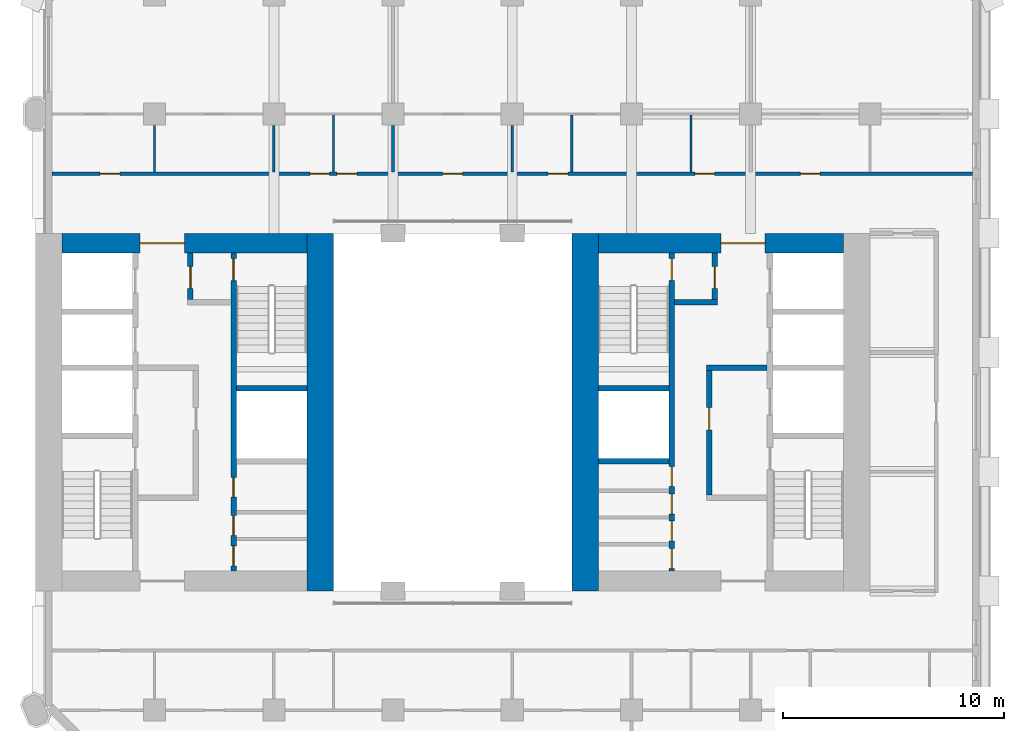
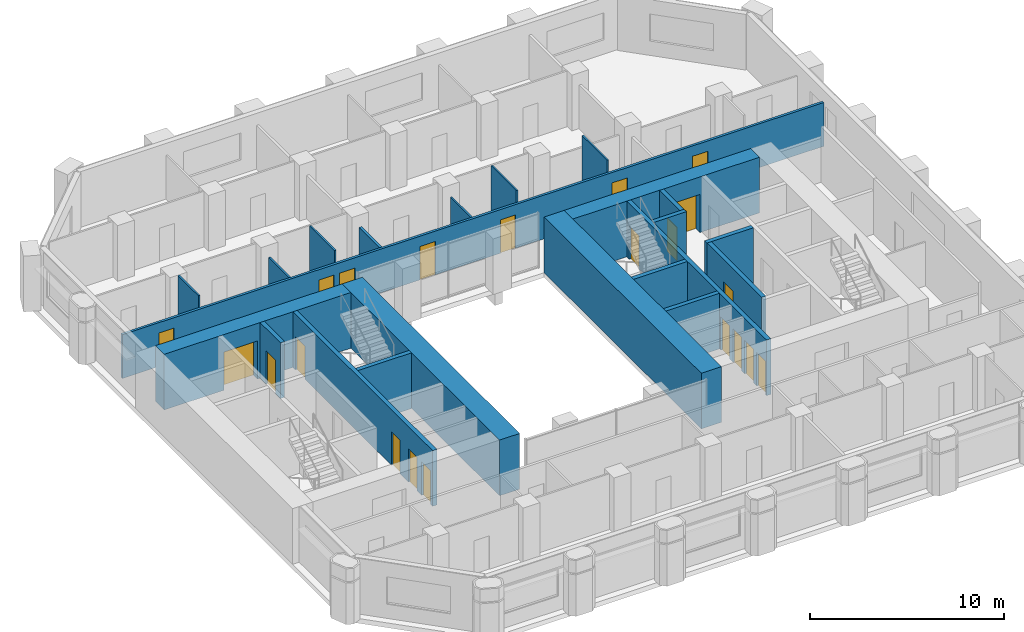
# One storey, part 5 of 11: 22 walls, 21 doors, 21 openings.
"""IFC4 building model written with IfcOpenShell, lengths in metres."""

from ifc_helpers import new_model, si_unit, direction, frame, frame_2d, origin, place, context, subcontext, project, spatial, rectangle, extrude, material, layer, layer_set, type_object, element, fill, save


model = new_model("IFC4")

# Units and contexts
model_context = context("Model", 3, precision=1e-05, world=origin(), true_north=direction((0.0, 1.0)))
body_context = subcontext(model_context, "Body", "Model", "MODEL_VIEW")
ifc_project = project(units=[si_unit("LENGTHUNIT", "METRE"), si_unit("AREAUNIT", "SQUARE_METRE"), si_unit("VOLUMEUNIT", "CUBIC_METRE"), si_unit("PLANEANGLEUNIT", "RADIAN"), si_unit("MASSUNIT", "GRAM", prefix="KILO")], contexts=[model_context])

# Site, building, storey
site_placement = place(None, origin())
site = spatial("IfcSite", under=ifc_project, at=site_placement, CompositionType="ELEMENT")
building_placement = place(site_placement, origin())
building = spatial("IfcBuilding", under=site, at=building_placement, Name="Tabaq Tower and Sports Hall", CompositionType="ELEMENT")
storey_placement = place(building_placement, frame((0.0, 0.0, 80.199951171875)))
storey = spatial("IfcBuildingStorey", under=building, at=storey_placement, Name="L18", CompositionType="ELEMENT", Elevation=80.199951171875)

# Walls
ifc_material_1 = material(Name="Concrete C60/75", Category="concrete")
ifc_layer_1 = layer(ifc_material_1, 1.199951171875)
ifc_layer_set_1 = layer_set([ifc_layer_1], Name="Core wall 1200 Concrete C60/75")
wall_type_1 = type_object("IfcWallType", Name="Core wall 1200 Concrete C60/75", PredefinedType="SOLIDWALL", material=ifc_layer_set_1)
for number, where, z_axis, x_axis, name in (
    (1, (18.300048828125, 32.39990234375, 0.0), (0.0, 0.0, 1.0), (0.0, -1.0, 0.0), "Core wall W L18"),
    (2, (30.300048828125, 16.199951171875, 0.0), (0.0, 0.0, 1.0), (0.0, 1.0, 0.0), "Core wall E L18"),
):
    element("IfcWall", number, at=place(storey_placement, frame(where, z_axis=z_axis, x_axis=x_axis)), inside=storey, type_object=wall_type_1, Name=name, PredefinedType="SOLIDWALL", context=body_context, shape_type="SweptSolid", body=[
        extrude(rectangle(XDim=16.199951171875, YDim=1.199951171875, at=frame_2d((8.10009765625, 0.0))), origin(), (0.0, 0.0, 1.0), 3.5),
    ])

# Wall, opening, door
ifc_material_2 = material(Name="Concrete C60/75", Category="concrete")
ifc_layer_2 = layer(ifc_material_2, 0.89990234375)
ifc_layer_set_2 = layer_set([ifc_layer_2], Name="Core wall 900 Concrete C60/75")
wall_type_2 = type_object("IfcWallType", Name="Core wall 900 Concrete C60/75", PredefinedType="SOLIDWALL", material=ifc_layer_set_2)
wall_1_placement = place(storey_placement, frame((6.60009765625, 31.949951171875, 0.0), z_axis=(0.0, 0.0, 1.0), x_axis=(1.0, 0.0, 0.0)))
wall_1 = element("IfcWall", 3, at=wall_1_placement, inside=storey, type_object=wall_type_2, Name="Core wall W L18", PredefinedType="SOLIDWALL", context=body_context, shape_type="SweptSolid", body=[
    extrude(rectangle(XDim=11.099853515625, YDim=0.89990234375, at=frame_2d((5.5498046875, 0.0))), origin(), (0.0, 0.0, 1.0), 3.5),
])
opening_1_placement = place(wall_1_placement, frame((3.550048828125, 0.0, 0.0)))
opening_1 = element("IfcOpeningElement", 4, at=opening_1_placement, cuts=wall_1, Name="Opening PD-WL18-02", PredefinedType="OPENING", context=body_context, shape_type="SweptSolid", body=[
    extrude(rectangle(XDim=2.0, YDim=2.39990234375, at=frame_2d((1.0, 1.199951171875))), frame((0.0, 0.449951171875, 0.0), z_axis=(0.0, -1.0, 0.0), x_axis=(1.0, 0.0, 0.0)), (0.0, 0.0, 1.0), 0.89990234375),
])
ifc_material_3 = material(Name="Steel fire door", Category="steel")
door_type_1 = type_object("IfcDoorType", Name="Core entrance door 2000", OperationType="DOUBLE_DOOR_SINGLE_SWING", PredefinedType="DOOR", material=ifc_material_3)
door_1_placement = place(opening_1_placement, origin())
door_1 = element("IfcDoor", 5, at=door_1_placement, inside=storey, type_object=door_type_1, Name="Core entrance north W L18", OperationType="DOUBLE_DOOR_SINGLE_SWING", OverallHeight=2.39990234375, OverallWidth=2.0, PredefinedType="DOOR", context=body_context, shape_type="SweptSolid", body=[
    extrude(rectangle(XDim=2.0, YDim=2.39990234375, at=frame_2d((1.0, 1.199951171875))), frame((0.0, 0.02490234375, 0.0), z_axis=(0.0, -1.0, 0.0), x_axis=(1.0, 0.0, 0.0)), (0.0, 0.0, 1.0), 0.050048828125),
])
fill(opening_1, door_1)

wall_2_placement = place(storey_placement, frame((30.89990234375, 31.949951171875, 0.0), z_axis=(0.0, 0.0, 1.0), x_axis=(1.0, 0.0, 0.0)))
wall_2 = element("IfcWall", 6, at=wall_2_placement, inside=storey, type_object=wall_type_2, Name="Core wall E L18", PredefinedType="SOLIDWALL", context=body_context, shape_type="SweptSolid", body=[
    extrude(rectangle(XDim=11.10009765625, YDim=0.89990234375, at=frame_2d((5.550048828125, 0.0))), origin(), (0.0, 0.0, 1.0), 3.5),
])
opening_2_placement = place(wall_2_placement, frame((5.550048828125, 0.0, 0.0)))
opening_2 = element("IfcOpeningElement", 7, at=opening_2_placement, cuts=wall_2, Name="Opening PD-EL18-02", PredefinedType="OPENING", context=body_context, shape_type="SweptSolid", body=[
    extrude(rectangle(XDim=2.0, YDim=2.39990234375, at=frame_2d((1.0, 1.199951171875))), frame((0.0, 0.449951171875, 0.0), z_axis=(0.0, -1.0, 0.0), x_axis=(1.0, 0.0, 0.0)), (0.0, 0.0, 1.0), 0.89990234375),
])
door_2_placement = place(opening_2_placement, origin())
door_2 = element("IfcDoor", 8, at=door_2_placement, inside=storey, type_object=door_type_1, Name="Core entrance north E L18", OperationType="DOUBLE_DOOR_SINGLE_SWING", OverallHeight=2.39990234375, OverallWidth=2.0, PredefinedType="DOOR", context=body_context, shape_type="SweptSolid", body=[
    extrude(rectangle(XDim=2.0, YDim=2.39990234375, at=frame_2d((1.0, 1.199951171875))), frame((0.0, 0.02490234375, 0.0), z_axis=(0.0, -1.0, 0.0), x_axis=(1.0, 0.0, 0.0)), (0.0, 0.0, 1.0), 0.050048828125),
])
fill(opening_2, door_2)

# Walls
ifc_material_4 = material(Name="Gypsum board on steel studs", Category="steel")
ifc_layer_3 = layer(ifc_material_4, 0.10009765625)
ifc_layer_set_3 = layer_set([ifc_layer_3], Name="Partition 100 Gypsum board")
wall_type_3 = type_object("IfcWallType", Name="Partition 100 Gypsum board", PredefinedType="PARTITIONING", material=ifc_layer_set_3)
wall_3_placement = place(storey_placement, frame((10.800048828125, 35.175048828125, 0.0), z_axis=(0.0, 0.0, 1.0), x_axis=(0.0, 1.0, 0.0)))
element("IfcWall", 9, at=wall_3_placement, inside=storey, type_object=wall_type_3, Name="Partition wall L18", PredefinedType="PARTITIONING", context=body_context, shape_type="SweptSolid", body=[
    extrude(rectangle(XDim=2.10498046875, YDim=0.10009765625, at=frame_2d((1.052490234375, 0.0))), origin(), (0.0, 0.0, 1.0), 3.5),
])
wall_4_placement = place(storey_placement, frame((16.199951171875, 35.175048828125, 0.0), z_axis=(0.0, 0.0, 1.0), x_axis=(0.0, 1.0, 0.0)))
element("IfcWall", 10, at=wall_4_placement, inside=storey, type_object=wall_type_3, Name="Partition wall L18", PredefinedType="PARTITIONING", context=body_context, shape_type="SweptSolid", body=[
    extrude(rectangle(XDim=2.10498046875, YDim=0.10009765625, at=frame_2d((1.052490234375, 0.0))), origin(), (0.0, 0.0, 1.0), 2.75),
])
wall_5_placement = place(storey_placement, frame((18.89990234375, 35.175048828125, 0.0), z_axis=(0.0, 0.0, 1.0), x_axis=(0.0, 1.0, 0.0)))
element("IfcWall", 11, at=wall_5_placement, inside=storey, type_object=wall_type_3, Name="Partition wall L18", PredefinedType="PARTITIONING", context=body_context, shape_type="SweptSolid", body=[
    extrude(rectangle(XDim=2.574951171875, YDim=0.10009765625, at=frame_2d((1.28759765625, 0.0))), origin(), (0.0, 0.0, 1.0), 3.5),
])
wall_6_placement = place(storey_placement, frame((27.0, 35.175048828125, 0.0), z_axis=(0.0, 0.0, 1.0), x_axis=(0.0, 1.0, 0.0)))
element("IfcWall", 12, at=wall_6_placement, inside=storey, type_object=wall_type_3, Name="Partition wall L18", PredefinedType="PARTITIONING", context=body_context, shape_type="SweptSolid", body=[
    extrude(rectangle(XDim=2.10498046875, YDim=0.10009765625, at=frame_2d((1.052490234375, 0.0))), origin(), (0.0, 0.0, 1.0), 2.75),
])
for number, where, z_axis, x_axis, name in (
    (13, (29.699951171875, 35.175048828125, 0.0), (0.0, 0.0, 1.0), (0.0, 1.0, 0.0), "Partition wall L18"),
    (14, (35.10009765625, 35.175048828125, 0.0), (0.0, 0.0, 1.0), (0.0, 1.0, 0.0), "Partition wall L18"),
):
    element("IfcWall", number, at=place(storey_placement, frame(where, z_axis=z_axis, x_axis=x_axis)), inside=storey, type_object=wall_type_3, Name=name, PredefinedType="PARTITIONING", context=body_context, shape_type="SweptSolid", body=[
        extrude(rectangle(XDim=2.574951171875, YDim=0.10009765625, at=frame_2d((1.28759765625, 0.0))), origin(), (0.0, 0.0, 1.0), 3.5),
    ])

# Wall, openings, doors
ifc_material_5 = material(Name="Blockwork", Category="masonry")
ifc_layer_4 = layer(ifc_material_5, 0.14990234375)
ifc_layer_set_4 = layer_set([ifc_layer_4], Name="Separating wall 150 Blockwork")
wall_type_4 = type_object("IfcWallType", Name="Separating wall 150 Blockwork", PredefinedType="PARTITIONING", material=ifc_layer_set_4)
wall_7_placement = place(storey_placement, frame((47.84912109375, 35.10009765625, 0.0), z_axis=(0.0, 0.0, 1.0), x_axis=(-1.0, 0.0, 0.0)))
wall_7 = element("IfcWall", 15, at=wall_7_placement, inside=storey, type_object=wall_type_4, Name="Separating wall L18", PredefinedType="PARTITIONING", context=body_context, shape_type="SweptSolid", body=[
    extrude(rectangle(XDim=41.6982421875, YDim=0.14990234375, at=frame_2d((20.84912109375, 0.0))), origin(), (0.0, 0.0, 1.0), 2.75),
])
opening_3_placement = place(wall_7_placement, frame((29.118896484375, 0.0, 0.0)))
opening_3 = element("IfcOpeningElement", 16, at=opening_3_placement, cuts=wall_7, Name="Opening L18-001", PredefinedType="OPENING", context=body_context, shape_type="SweptSolid", body=[
    extrude(rectangle(XDim=0.89990234375, YDim=2.10009765625, at=frame_2d((0.449951171875, 1.050048828125))), frame((0.0, 0.074951171875, 0.0), z_axis=(0.0, -1.0, 0.0), x_axis=(1.0, 0.0, 0.0)), (0.0, 0.0, 1.0), 0.14990234375),
])
opening_4_placement = place(wall_7_placement, frame((27.87890625, 0.0, 0.0)))
opening_4 = element("IfcOpeningElement", 17, at=opening_4_placement, cuts=wall_7, Name="Opening L18-002", PredefinedType="OPENING", context=body_context, shape_type="SweptSolid", body=[
    extrude(rectangle(XDim=0.89990234375, YDim=2.10009765625, at=frame_2d((0.449951171875, 1.050048828125))), frame((0.0, 0.074951171875, 0.0), z_axis=(0.0, -1.0, 0.0), x_axis=(1.0, 0.0, 0.0)), (0.0, 0.0, 1.0), 0.14990234375),
])
opening_5_placement = place(wall_7_placement, frame((18.319091796875, 0.0, 0.0)))
opening_5 = element("IfcOpeningElement", 18, at=opening_5_placement, cuts=wall_7, Name="Opening L18-003", PredefinedType="OPENING", context=body_context, shape_type="SweptSolid", body=[
    extrude(rectangle(XDim=0.89990234375, YDim=2.10009765625, at=frame_2d((0.449951171875, 1.050048828125))), frame((0.0, 0.074951171875, 0.0), z_axis=(0.0, -1.0, 0.0), x_axis=(1.0, 0.0, 0.0)), (0.0, 0.0, 1.0), 0.14990234375),
])
opening_6_placement = place(wall_7_placement, frame((11.678955078125, 0.0, 0.0)))
opening_6 = element("IfcOpeningElement", 19, at=opening_6_placement, cuts=wall_7, Name="Opening L18-004", PredefinedType="OPENING", context=body_context, shape_type="SweptSolid", body=[
    extrude(rectangle(XDim=0.89990234375, YDim=2.10009765625, at=frame_2d((0.449951171875, 1.050048828125))), frame((0.0, 0.074951171875, 0.0), z_axis=(0.0, -1.0, 0.0), x_axis=(1.0, 0.0, 0.0)), (0.0, 0.0, 1.0), 0.14990234375),
])
opening_7_placement = place(wall_7_placement, frame((38.6240234375, 0.0, 0.0)))
opening_7 = element("IfcOpeningElement", 20, at=opening_7_placement, cuts=wall_7, Name="Opening L18-025", PredefinedType="OPENING", context=body_context, shape_type="SweptSolid", body=[
    extrude(rectangle(XDim=0.89990234375, YDim=2.10009765625, at=frame_2d((0.449951171875, 1.050048828125))), frame((0.0, 0.074951171875, 0.0), z_axis=(0.0, -1.0, 0.0), x_axis=(1.0, 0.0, 0.0)), (0.0, 0.0, 1.0), 0.14990234375),
])
opening_8_placement = place(wall_7_placement, frame((23.09912109375, 0.0, 0.0)))
opening_8 = element("IfcOpeningElement", 21, at=opening_8_placement, cuts=wall_7, Name="Opening L18-026", PredefinedType="OPENING", context=body_context, shape_type="SweptSolid", body=[
    extrude(rectangle(XDim=0.89990234375, YDim=2.10009765625, at=frame_2d((0.449951171875, 1.050048828125))), frame((0.0, 0.074951171875, 0.0), z_axis=(0.0, -1.0, 0.0), x_axis=(1.0, 0.0, 0.0)), (0.0, 0.0, 1.0), 0.14990234375),
])
opening_9_placement = place(wall_7_placement, frame((6.89892578125, 0.0, 0.0)))
opening_9 = element("IfcOpeningElement", 22, at=opening_9_placement, cuts=wall_7, Name="Opening L18-027", PredefinedType="OPENING", context=body_context, shape_type="SweptSolid", body=[
    extrude(rectangle(XDim=0.89990234375, YDim=2.10009765625, at=frame_2d((0.449951171875, 1.050048828125))), frame((0.0, 0.074951171875, 0.0), z_axis=(0.0, -1.0, 0.0), x_axis=(1.0, 0.0, 0.0)), (0.0, 0.0, 1.0), 0.14990234375),
])
ifc_material_6 = material(Name="Steel fire door", Category="steel")
door_type_2 = type_object("IfcDoorType", Name="Entrance door 900 left hand", OperationType="SINGLE_SWING_LEFT", PredefinedType="DOOR", material=ifc_material_6)
door_3_placement = place(opening_3_placement, origin())
door_3 = element("IfcDoor", 23, at=door_3_placement, inside=storey, type_object=door_type_2, Name="Entrance door L18-001", OperationType="SINGLE_SWING_LEFT", OverallHeight=2.10009765625, OverallWidth=0.89990234375, PredefinedType="DOOR", context=body_context, shape_type="SweptSolid", body=[
    extrude(rectangle(XDim=0.89990234375, YDim=2.10009765625, at=frame_2d((0.449951171875, 1.050048828125))), frame((0.0, 0.02490234375, 0.0), z_axis=(0.0, -1.0, 0.0), x_axis=(1.0, 0.0, 0.0)), (0.0, 0.0, 1.0), 0.050048828125),
])
fill(opening_3, door_3)
door_4_placement = place(opening_4_placement, origin())
door_4 = element("IfcDoor", 24, at=door_4_placement, inside=storey, type_object=door_type_2, Name="Entrance door L18-002", OperationType="SINGLE_SWING_LEFT", OverallHeight=2.10009765625, OverallWidth=0.89990234375, PredefinedType="DOOR", context=body_context, shape_type="SweptSolid", body=[
    extrude(rectangle(XDim=0.89990234375, YDim=2.10009765625, at=frame_2d((0.449951171875, 1.050048828125))), frame((0.0, 0.02490234375, 0.0), z_axis=(0.0, -1.0, 0.0), x_axis=(1.0, 0.0, 0.0)), (0.0, 0.0, 1.0), 0.050048828125),
])
fill(opening_4, door_4)
door_5_placement = place(opening_5_placement, origin())
door_5 = element("IfcDoor", 25, at=door_5_placement, inside=storey, type_object=door_type_2, Name="Entrance door L18-003", OperationType="SINGLE_SWING_LEFT", OverallHeight=2.10009765625, OverallWidth=0.89990234375, PredefinedType="DOOR", context=body_context, shape_type="SweptSolid", body=[
    extrude(rectangle(XDim=0.89990234375, YDim=2.10009765625, at=frame_2d((0.449951171875, 1.050048828125))), frame((0.0, 0.02490234375, 0.0), z_axis=(0.0, -1.0, 0.0), x_axis=(1.0, 0.0, 0.0)), (0.0, 0.0, 1.0), 0.050048828125),
])
fill(opening_5, door_5)
door_6_placement = place(opening_6_placement, origin())
door_6 = element("IfcDoor", 26, at=door_6_placement, inside=storey, type_object=door_type_2, Name="Entrance door L18-004", OperationType="SINGLE_SWING_LEFT", OverallHeight=2.10009765625, OverallWidth=0.89990234375, PredefinedType="DOOR", context=body_context, shape_type="SweptSolid", body=[
    extrude(rectangle(XDim=0.89990234375, YDim=2.10009765625, at=frame_2d((0.449951171875, 1.050048828125))), frame((0.0, 0.02490234375, 0.0), z_axis=(0.0, -1.0, 0.0), x_axis=(1.0, 0.0, 0.0)), (0.0, 0.0, 1.0), 0.050048828125),
])
fill(opening_6, door_6)
door_7_placement = place(opening_7_placement, origin())
door_7 = element("IfcDoor", 27, at=door_7_placement, inside=storey, type_object=door_type_2, Name="Entrance door L18-025", OperationType="SINGLE_SWING_LEFT", OverallHeight=2.10009765625, OverallWidth=0.89990234375, PredefinedType="DOOR", context=body_context, shape_type="SweptSolid", body=[
    extrude(rectangle(XDim=0.89990234375, YDim=2.10009765625, at=frame_2d((0.449951171875, 1.050048828125))), frame((0.0, 0.02490234375, 0.0), z_axis=(0.0, -1.0, 0.0), x_axis=(1.0, 0.0, 0.0)), (0.0, 0.0, 1.0), 0.050048828125),
])
fill(opening_7, door_7)
door_8_placement = place(opening_8_placement, origin())
door_8 = element("IfcDoor", 28, at=door_8_placement, inside=storey, type_object=door_type_2, Name="Entrance door L18-026", OperationType="SINGLE_SWING_LEFT", OverallHeight=2.10009765625, OverallWidth=0.89990234375, PredefinedType="DOOR", context=body_context, shape_type="SweptSolid", body=[
    extrude(rectangle(XDim=0.89990234375, YDim=2.10009765625, at=frame_2d((0.449951171875, 1.050048828125))), frame((0.0, 0.02490234375, 0.0), z_axis=(0.0, -1.0, 0.0), x_axis=(1.0, 0.0, 0.0)), (0.0, 0.0, 1.0), 0.050048828125),
])
fill(opening_8, door_8)
door_9_placement = place(opening_9_placement, origin())
door_9 = element("IfcDoor", 29, at=door_9_placement, inside=storey, type_object=door_type_2, Name="Entrance door L18-027", OperationType="SINGLE_SWING_LEFT", OverallHeight=2.10009765625, OverallWidth=0.89990234375, PredefinedType="DOOR", context=body_context, shape_type="SweptSolid", body=[
    extrude(rectangle(XDim=0.89990234375, YDim=2.10009765625, at=frame_2d((0.449951171875, 1.050048828125))), frame((0.0, 0.02490234375, 0.0), z_axis=(0.0, -1.0, 0.0), x_axis=(1.0, 0.0, 0.0)), (0.0, 0.0, 1.0), 0.050048828125),
])
fill(opening_9, door_9)

# Wall
wall_8_placement = place(storey_placement, frame((21.60009765625, 35.175048828125, 0.0), z_axis=(0.0, 0.0, 1.0), x_axis=(0.0, 1.0, 0.0)))
element("IfcWall", 30, at=wall_8_placement, inside=storey, type_object=wall_type_4, Name="Separating wall L18", PredefinedType="PARTITIONING", context=body_context, shape_type="SweptSolid", body=[
    extrude(rectangle(XDim=2.10498046875, YDim=0.14990234375, at=frame_2d((1.052490234375, 0.0))), origin(), (0.0, 0.0, 1.0), 2.75),
])

# Wall, openings, doors
ifc_material_7 = material(Name="Concrete C40/50", Category="concrete")
ifc_layer_5 = layer(ifc_material_7, 0.25)
ifc_layer_set_5 = layer_set([ifc_layer_5], Name="Shaft and stair wall 250 Concrete C40/50")
wall_type_5 = type_object("IfcWallType", Name="Shaft and stair wall 250 Concrete C40/50", PredefinedType="SOLIDWALL", material=ifc_layer_set_5)
wall_9_placement = place(storey_placement, frame((14.375, 17.10009765625, 0.0), z_axis=(0.0, 0.0, 1.0), x_axis=(0.0, 1.0, 0.0)))
wall_9 = element("IfcWall", 31, at=wall_9_placement, inside=storey, type_object=wall_type_5, Name="Shaft wall W L18", PredefinedType="SOLIDWALL", context=body_context, shape_type="SweptSolid", body=[
    extrude(rectangle(XDim=14.39990234375, YDim=0.25, at=frame_2d((7.199951171875, 0.0))), origin(), (0.0, 0.0, 1.0), 3.5),
])
opening_10_placement = place(wall_9_placement, frame((13.14990234375, 0.0, 0.0)))
opening_10 = element("IfcOpeningElement", 32, at=opening_10_placement, cuts=wall_9, Name="Opening SD-WL18-05", PredefinedType="OPENING", context=body_context, shape_type="SweptSolid", body=[
    extrude(rectangle(XDim=1.0, YDim=2.10009765625, at=frame_2d((0.5, 1.050048828125))), frame((0.0, 0.125, 0.0), z_axis=(0.0, -1.0, 0.0), x_axis=(1.0, 0.0, 0.0)), (0.0, 0.0, 1.0), 0.25),
])
opening_11_placement = place(wall_9_placement, frame((0.239990234375, 0.0, 0.0)))
opening_11 = element("IfcOpeningElement", 33, at=opening_11_placement, cuts=wall_9, Name="Opening RD-WL18-10", PredefinedType="OPENING", context=body_context, shape_type="SweptSolid", body=[
    extrude(rectangle(XDim=0.89990234375, YDim=2.10009765625, at=frame_2d((0.449951171875, 1.050048828125))), frame((0.0, 0.125, 0.0), z_axis=(0.0, -1.0, 0.0), x_axis=(1.0, 0.0, 0.0)), (0.0, 0.0, 1.0), 0.25),
])
opening_12_placement = place(wall_9_placement, frame((1.611083984375, 0.0, 0.0)))
opening_12 = element("IfcOpeningElement", 34, at=opening_12_placement, cuts=wall_9, Name="Opening RD-WL18-11", PredefinedType="OPENING", context=body_context, shape_type="SweptSolid", body=[
    extrude(rectangle(XDim=0.89990234375, YDim=2.10009765625, at=frame_2d((0.449951171875, 1.050048828125))), frame((0.0, 0.125, 0.0), z_axis=(0.0, -1.0, 0.0), x_axis=(1.0, 0.0, 0.0)), (0.0, 0.0, 1.0), 0.25),
])
opening_13_placement = place(wall_9_placement, frame((3.345947265625, 0.0, 0.0)))
opening_13 = element("IfcOpeningElement", 35, at=opening_13_placement, cuts=wall_9, Name="Opening RD-WL18-12", PredefinedType="OPENING", context=body_context, shape_type="SweptSolid", body=[
    extrude(rectangle(XDim=0.89990234375, YDim=2.10009765625, at=frame_2d((0.449951171875, 1.050048828125))), frame((0.0, 0.125, 0.0), z_axis=(0.0, -1.0, 0.0), x_axis=(1.0, 0.0, 0.0)), (0.0, 0.0, 1.0), 0.25),
])
ifc_material_8 = material(Name="Steel fire door", Category="steel")
door_type_3 = type_object("IfcDoorType", Name="Core room door 900", OperationType="SINGLE_SWING_LEFT", PredefinedType="DOOR", material=ifc_material_8)
door_10_placement = place(opening_11_placement, origin())
door_10 = element("IfcDoor", 36, at=door_10_placement, inside=storey, type_object=door_type_3, Name="Door Accessible WC W L18", OperationType="SINGLE_SWING_LEFT", OverallHeight=2.10009765625, OverallWidth=0.89990234375, PredefinedType="DOOR", context=body_context, shape_type="SweptSolid", body=[
    extrude(rectangle(XDim=0.89990234375, YDim=2.10009765625, at=frame_2d((0.449951171875, 1.050048828125))), frame((0.0, 0.02490234375, 0.0), z_axis=(0.0, -1.0, 0.0), x_axis=(1.0, 0.0, 0.0)), (0.0, 0.0, 1.0), 0.050048828125),
])
fill(opening_11, door_10)
door_11_placement = place(opening_12_placement, origin())
door_11 = element("IfcDoor", 37, at=door_11_placement, inside=storey, type_object=door_type_3, Name="Door Electrical Riser Room W L18", OperationType="SINGLE_SWING_LEFT", OverallHeight=2.10009765625, OverallWidth=0.89990234375, PredefinedType="DOOR", context=body_context, shape_type="SweptSolid", body=[
    extrude(rectangle(XDim=0.89990234375, YDim=2.10009765625, at=frame_2d((0.449951171875, 1.050048828125))), frame((0.0, 0.02490234375, 0.0), z_axis=(0.0, -1.0, 0.0), x_axis=(1.0, 0.0, 0.0)), (0.0, 0.0, 1.0), 0.050048828125),
])
fill(opening_12, door_11)
door_12_placement = place(opening_13_placement, origin())
door_12 = element("IfcDoor", 38, at=door_12_placement, inside=storey, type_object=door_type_3, Name="Door Unisex WC W L18", OperationType="SINGLE_SWING_LEFT", OverallHeight=2.10009765625, OverallWidth=0.89990234375, PredefinedType="DOOR", context=body_context, shape_type="SweptSolid", body=[
    extrude(rectangle(XDim=0.89990234375, YDim=2.10009765625, at=frame_2d((0.449951171875, 1.050048828125))), frame((0.0, 0.02490234375, 0.0), z_axis=(0.0, -1.0, 0.0), x_axis=(1.0, 0.0, 0.0)), (0.0, 0.0, 1.0), 0.050048828125),
])
fill(opening_13, door_12)
ifc_material_9 = material(Name="Steel fire door", Category="steel")
door_type_4 = type_object("IfcDoorType", Name="Stair door 1000", OperationType="SINGLE_SWING_LEFT", PredefinedType="DOOR", material=ifc_material_9)
door_13_placement = place(opening_10_placement, origin())
door_13 = element("IfcDoor", 39, at=door_13_placement, inside=storey, type_object=door_type_4, Name="Stair door ST2 W L18", OperationType="SINGLE_SWING_LEFT", OverallHeight=2.10009765625, OverallWidth=1.0, PredefinedType="DOOR", context=body_context, shape_type="SweptSolid", body=[
    extrude(rectangle(XDim=1.0, YDim=2.10009765625, at=frame_2d((0.5, 1.050048828125))), frame((0.0, 0.02490234375, 0.0), z_axis=(0.0, -1.0, 0.0), x_axis=(1.0, 0.0, 0.0)), (0.0, 0.0, 1.0), 0.050048828125),
])
fill(opening_10, door_13)

# Wall
wall_10_placement = place(storey_placement, frame((14.5, 25.375, 0.0), z_axis=(0.0, 0.0, 1.0), x_axis=(1.0, 0.0, 0.0)))
element("IfcWall", 40, at=wall_10_placement, inside=storey, type_object=wall_type_5, Name="Stair enclosure wall W L18", PredefinedType="SOLIDWALL", context=body_context, shape_type="SweptSolid", body=[
    extrude(rectangle(XDim=3.199951171875, YDim=0.25, at=frame_2d((1.60009765625, 0.0))), origin(), (0.0, 0.0, 1.0), 3.5),
])

# Wall, opening, door
wall_11_placement = place(storey_placement, frame((12.425048828125, 29.39990234375, 0.0), z_axis=(0.0, 0.0, 1.0), x_axis=(0.0, 1.0, 0.0)))
wall_11 = element("IfcWall", 41, at=wall_11_placement, inside=storey, type_object=wall_type_5, Name="Fire-fighting lobby wall W L18", PredefinedType="SOLIDWALL", context=body_context, shape_type="SweptSolid", body=[
    extrude(rectangle(XDim=2.10009765625, YDim=0.25, at=frame_2d((1.050048828125, 0.0))), origin(), (0.0, 0.0, 1.0), 3.5),
])
opening_14_placement = place(wall_11_placement, frame((0.5, 0.0, 0.0)))
opening_14 = element("IfcOpeningElement", 42, at=opening_14_placement, cuts=wall_11, Name="Opening FD-WL18-06", PredefinedType="OPENING", context=body_context, shape_type="SweptSolid", body=[
    extrude(rectangle(XDim=1.0, YDim=2.10009765625, at=frame_2d((0.5, 1.050048828125))), frame((0.0, 0.125, 0.0), z_axis=(0.0, -1.0, 0.0), x_axis=(1.0, 0.0, 0.0)), (0.0, 0.0, 1.0), 0.25),
])
ifc_material_10 = material(Name="Steel fire door", Category="steel")
door_type_5 = type_object("IfcDoorType", Name="Fire-fighting lobby door 1000", OperationType="SINGLE_SWING_LEFT", PredefinedType="DOOR", material=ifc_material_10)
door_14_placement = place(opening_14_placement, origin())
door_14 = element("IfcDoor", 43, at=door_14_placement, inside=storey, type_object=door_type_5, Name="Stair lobby door W L18", OperationType="SINGLE_SWING_LEFT", OverallHeight=2.10009765625, OverallWidth=1.0, PredefinedType="DOOR", context=body_context, shape_type="SweptSolid", body=[
    extrude(rectangle(XDim=1.0, YDim=2.10009765625, at=frame_2d((0.5, 1.050048828125))), frame((0.0, 0.02490234375, 0.0), z_axis=(0.0, -1.0, 0.0), x_axis=(1.0, 0.0, 0.0)), (0.0, 0.0, 1.0), 0.050048828125),
])
fill(opening_14, door_14)

# Wall, openings, doors
wall_12_placement = place(storey_placement, frame((34.22509765625, 17.10009765625, 0.0), z_axis=(0.0, 0.0, 1.0), x_axis=(0.0, 1.0, 0.0)))
wall_12 = element("IfcWall", 44, at=wall_12_placement, inside=storey, type_object=wall_type_5, Name="Shaft wall E L18", PredefinedType="SOLIDWALL", context=body_context, shape_type="SweptSolid", body=[
    extrude(rectangle(XDim=14.39990234375, YDim=0.25, at=frame_2d((7.199951171875, 0.0))), origin(), (0.0, 0.0, 1.0), 3.5),
])
opening_15_placement = place(wall_12_placement, frame((13.14990234375, 0.0, 0.0)))
opening_15 = element("IfcOpeningElement", 45, at=opening_15_placement, cuts=wall_12, Name="Opening SD-EL18-05", PredefinedType="OPENING", context=body_context, shape_type="SweptSolid", body=[
    extrude(rectangle(XDim=1.0, YDim=2.10009765625, at=frame_2d((0.5, 1.050048828125))), frame((0.0, 0.125, 0.0), z_axis=(0.0, -1.0, 0.0), x_axis=(1.0, 0.0, 0.0)), (0.0, 0.0, 1.0), 0.25),
])
opening_16_placement = place(wall_12_placement, frame((0.118408203125, 0.0, 0.0)))
opening_16 = element("IfcOpeningElement", 46, at=opening_16_placement, cuts=wall_12, Name="Opening RD-EL18-10", PredefinedType="OPENING", context=body_context, shape_type="SweptSolid", body=[
    extrude(rectangle(XDim=0.89990234375, YDim=2.10009765625, at=frame_2d((0.449951171875, 1.050048828125))), frame((0.0, 0.125, 0.0), z_axis=(0.0, -1.0, 0.0), x_axis=(1.0, 0.0, 0.0)), (0.0, 0.0, 1.0), 0.25),
])
opening_17_placement = place(wall_12_placement, frame((1.368408203125, 0.0, 0.0)))
opening_17 = element("IfcOpeningElement", 47, at=opening_17_placement, cuts=wall_12, Name="Opening RD-EL18-11", PredefinedType="OPENING", context=body_context, shape_type="SweptSolid", body=[
    extrude(rectangle(XDim=0.89990234375, YDim=2.10009765625, at=frame_2d((0.449951171875, 1.050048828125))), frame((0.0, 0.125, 0.0), z_axis=(0.0, -1.0, 0.0), x_axis=(1.0, 0.0, 0.0)), (0.0, 0.0, 1.0), 0.25),
])
opening_18_placement = place(wall_12_placement, frame((2.5810546875, 0.0, 0.0)))
opening_18 = element("IfcOpeningElement", 48, at=opening_18_placement, cuts=wall_12, Name="Opening RD-EL18-12", PredefinedType="OPENING", context=body_context, shape_type="SweptSolid", body=[
    extrude(rectangle(XDim=0.89990234375, YDim=2.10009765625, at=frame_2d((0.449951171875, 1.050048828125))), frame((0.0, 0.125, 0.0), z_axis=(0.0, -1.0, 0.0), x_axis=(1.0, 0.0, 0.0)), (0.0, 0.0, 1.0), 0.25),
])
opening_19_placement = place(wall_12_placement, frame((3.8310546875, 0.0, 0.0)))
opening_19 = element("IfcOpeningElement", 49, at=opening_19_placement, cuts=wall_12, Name="Opening RD-EL18-13", PredefinedType="OPENING", context=body_context, shape_type="SweptSolid", body=[
    extrude(rectangle(XDim=0.89990234375, YDim=2.10009765625, at=frame_2d((0.449951171875, 1.050048828125))), frame((0.0, 0.125, 0.0), z_axis=(0.0, -1.0, 0.0), x_axis=(1.0, 0.0, 0.0)), (0.0, 0.0, 1.0), 0.25),
])
door_15_placement = place(opening_16_placement, origin())
door_15 = element("IfcDoor", 50, at=door_15_placement, inside=storey, type_object=door_type_3, Name="Door Cleaner's Store E L18", OperationType="SINGLE_SWING_LEFT", OverallHeight=2.10009765625, OverallWidth=0.89990234375, PredefinedType="DOOR", context=body_context, shape_type="SweptSolid", body=[
    extrude(rectangle(XDim=0.89990234375, YDim=2.10009765625, at=frame_2d((0.449951171875, 1.050048828125))), frame((0.0, 0.02490234375, 0.0), z_axis=(0.0, -1.0, 0.0), x_axis=(1.0, 0.0, 0.0)), (0.0, 0.0, 1.0), 0.050048828125),
])
fill(opening_16, door_15)
door_16_placement = place(opening_17_placement, origin())
door_16 = element("IfcDoor", 51, at=door_16_placement, inside=storey, type_object=door_type_3, Name="Door Gents WC E L18", OperationType="SINGLE_SWING_LEFT", OverallHeight=2.10009765625, OverallWidth=0.89990234375, PredefinedType="DOOR", context=body_context, shape_type="SweptSolid", body=[
    extrude(rectangle(XDim=0.89990234375, YDim=2.10009765625, at=frame_2d((0.449951171875, 1.050048828125))), frame((0.0, 0.02490234375, 0.0), z_axis=(0.0, -1.0, 0.0), x_axis=(1.0, 0.0, 0.0)), (0.0, 0.0, 1.0), 0.050048828125),
])
fill(opening_17, door_16)
door_17_placement = place(opening_18_placement, origin())
door_17 = element("IfcDoor", 52, at=door_17_placement, inside=storey, type_object=door_type_3, Name="Door Ladies WC E L18", OperationType="SINGLE_SWING_LEFT", OverallHeight=2.10009765625, OverallWidth=0.89990234375, PredefinedType="DOOR", context=body_context, shape_type="SweptSolid", body=[
    extrude(rectangle(XDim=0.89990234375, YDim=2.10009765625, at=frame_2d((0.449951171875, 1.050048828125))), frame((0.0, 0.02490234375, 0.0), z_axis=(0.0, -1.0, 0.0), x_axis=(1.0, 0.0, 0.0)), (0.0, 0.0, 1.0), 0.050048828125),
])
fill(opening_18, door_17)
door_18_placement = place(opening_19_placement, origin())
door_18 = element("IfcDoor", 53, at=door_18_placement, inside=storey, type_object=door_type_3, Name="Door Accessible WC E L18", OperationType="SINGLE_SWING_LEFT", OverallHeight=2.10009765625, OverallWidth=0.89990234375, PredefinedType="DOOR", context=body_context, shape_type="SweptSolid", body=[
    extrude(rectangle(XDim=0.89990234375, YDim=2.10009765625, at=frame_2d((0.449951171875, 1.050048828125))), frame((0.0, 0.02490234375, 0.0), z_axis=(0.0, -1.0, 0.0), x_axis=(1.0, 0.0, 0.0)), (0.0, 0.0, 1.0), 0.050048828125),
])
fill(opening_19, door_18)
door_19_placement = place(opening_15_placement, origin())
door_19 = element("IfcDoor", 54, at=door_19_placement, inside=storey, type_object=door_type_4, Name="Stair door ST4 E L18", OperationType="SINGLE_SWING_LEFT", OverallHeight=2.10009765625, OverallWidth=1.0, PredefinedType="DOOR", context=body_context, shape_type="SweptSolid", body=[
    extrude(rectangle(XDim=1.0, YDim=2.10009765625, at=frame_2d((0.5, 1.050048828125))), frame((0.0, 0.02490234375, 0.0), z_axis=(0.0, -1.0, 0.0), x_axis=(1.0, 0.0, 0.0)), (0.0, 0.0, 1.0), 0.050048828125),
])
fill(opening_15, door_19)

# Walls
for number, where, z_axis, x_axis, name in (
    (55, (30.89990234375, 25.375, 0.0), (0.0, 0.0, 1.0), (1.0, 0.0, 0.0), "Stair enclosure wall E L18"),
    (56, (30.89990234375, 22.074951171875, 0.0), (0.0, 0.0, 1.0), (1.0, 0.0, 0.0), "Shaft wall E L18"),
):
    element("IfcWall", number, at=place(storey_placement, frame(where, z_axis=z_axis, x_axis=x_axis)), inside=storey, type_object=wall_type_5, Name=name, PredefinedType="SOLIDWALL", context=body_context, shape_type="SweptSolid", body=[
        extrude(rectangle(XDim=3.2001953125, YDim=0.25, at=frame_2d((1.60009765625, 0.0))), origin(), (0.0, 0.0, 1.0), 3.5),
    ])
wall_13_placement = place(storey_placement, frame((35.800048828125, 26.300048828125, 0.0), z_axis=(0.0, 0.0, 1.0), x_axis=(1.0, 0.0, 0.0)))
element("IfcWall", 57, at=wall_13_placement, inside=storey, type_object=wall_type_5, Name="Fire-fighting lobby wall E L18", PredefinedType="SOLIDWALL", context=body_context, shape_type="SweptSolid", body=[
    extrude(rectangle(XDim=2.75, YDim=0.25, at=frame_2d((1.375, 0.0))), origin(), (0.0, 0.0, 1.0), 3.5),
])

# Wall, opening, door
wall_14_placement = place(storey_placement, frame((36.175048828125, 29.39990234375, 0.0), z_axis=(0.0, 0.0, 1.0), x_axis=(0.0, 1.0, 0.0)))
wall_14 = element("IfcWall", 58, at=wall_14_placement, inside=storey, type_object=wall_type_5, Name="Fire-fighting lobby wall E L18", PredefinedType="SOLIDWALL", context=body_context, shape_type="SweptSolid", body=[
    extrude(rectangle(XDim=2.10009765625, YDim=0.25, at=frame_2d((1.050048828125, 0.0))), origin(), (0.0, 0.0, 1.0), 3.5),
])
opening_20_placement = place(wall_14_placement, frame((0.5, 0.0, 0.0)))
opening_20 = element("IfcOpeningElement", 59, at=opening_20_placement, cuts=wall_14, Name="Opening FD-EL18-06", PredefinedType="OPENING", context=body_context, shape_type="SweptSolid", body=[
    extrude(rectangle(XDim=1.0, YDim=2.10009765625, at=frame_2d((0.5, 1.050048828125))), frame((0.0, 0.125, 0.0), z_axis=(0.0, -1.0, 0.0), x_axis=(1.0, 0.0, 0.0)), (0.0, 0.0, 1.0), 0.25),
])
door_20_placement = place(opening_20_placement, origin())
door_20 = element("IfcDoor", 60, at=door_20_placement, inside=storey, type_object=door_type_5, Name="Stair lobby door E L18", OperationType="SINGLE_SWING_LEFT", OverallHeight=2.10009765625, OverallWidth=1.0, PredefinedType="DOOR", context=body_context, shape_type="SweptSolid", body=[
    extrude(rectangle(XDim=1.0, YDim=2.10009765625, at=frame_2d((0.5, 1.050048828125))), frame((0.0, 0.02490234375, 0.0), z_axis=(0.0, -1.0, 0.0), x_axis=(1.0, 0.0, 0.0)), (0.0, 0.0, 1.0), 0.050048828125),
])
fill(opening_20, door_20)

# Wall
wall_15_placement = place(storey_placement, frame((34.35009765625, 29.27490234375, 0.0), z_axis=(0.0, 0.0, 1.0), x_axis=(1.0, 0.0, 0.0)))
element("IfcWall", 61, at=wall_15_placement, inside=storey, type_object=wall_type_5, Name="Fire-fighting lobby wall E L18", PredefinedType="SOLIDWALL", context=body_context, shape_type="SweptSolid", body=[
    extrude(rectangle(XDim=1.949951171875, YDim=0.25, at=frame_2d((0.97509765625, 0.0))), origin(), (0.0, 0.0, 1.0), 3.5),
])

# Wall, opening, door
wall_16_placement = place(storey_placement, frame((35.925048828125, 20.550048828125, 0.0), z_axis=(0.0, 0.0, 1.0), x_axis=(0.0, 1.0, 0.0)))
wall_16 = element("IfcWall", 62, at=wall_16_placement, inside=storey, type_object=wall_type_5, Name="Fire-fighting lobby wall E L18", PredefinedType="SOLIDWALL", context=body_context, shape_type="SweptSolid", body=[
    extrude(rectangle(XDim=5.625, YDim=0.25, at=frame_2d((2.8125, 0.0))), origin(), (0.0, 0.0, 1.0), 3.5),
])
opening_21_placement = place(wall_16_placement, frame((2.949951171875, 0.0, 0.0)))
opening_21 = element("IfcOpeningElement", 63, at=opening_21_placement, cuts=wall_16, Name="Opening FD-EL18-04", PredefinedType="OPENING", context=body_context, shape_type="SweptSolid", body=[
    extrude(rectangle(XDim=1.0, YDim=2.10009765625, at=frame_2d((0.5, 1.050048828125))), frame((0.0, 0.125, 0.0), z_axis=(0.0, -1.0, 0.0), x_axis=(1.0, 0.0, 0.0)), (0.0, 0.0, 1.0), 0.25),
])
door_21_placement = place(opening_21_placement, origin())
door_21 = element("IfcDoor", 64, at=door_21_placement, inside=storey, type_object=door_type_5, Name="Fire-fighting lobby door E L18", OperationType="SINGLE_SWING_LEFT", OverallHeight=2.10009765625, OverallWidth=1.0, PredefinedType="DOOR", context=body_context, shape_type="SweptSolid", body=[
    extrude(rectangle(XDim=1.0, YDim=2.10009765625, at=frame_2d((0.5, 1.050048828125))), frame((0.0, 0.02490234375, 0.0), z_axis=(0.0, -1.0, 0.0), x_axis=(1.0, 0.0, 0.0)), (0.0, 0.0, 1.0), 0.050048828125),
])
fill(opening_21, door_21)

save(model, "model.ifc")
